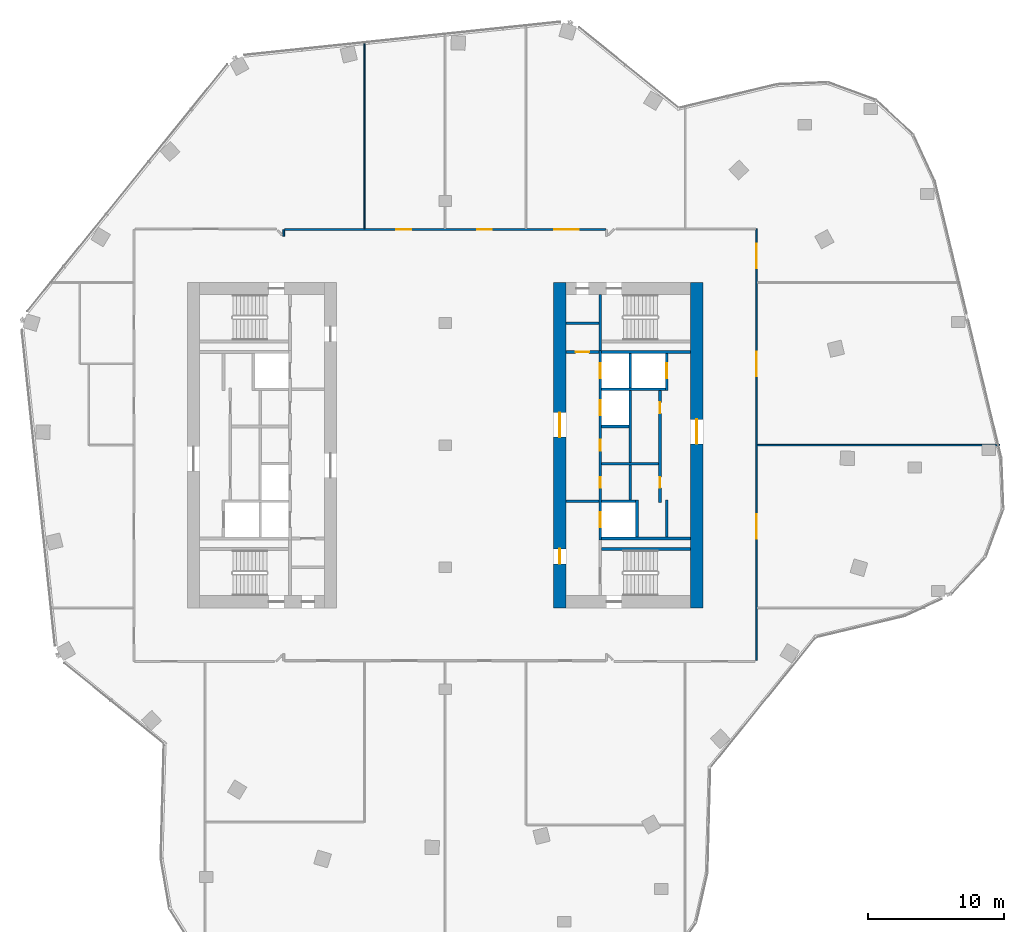
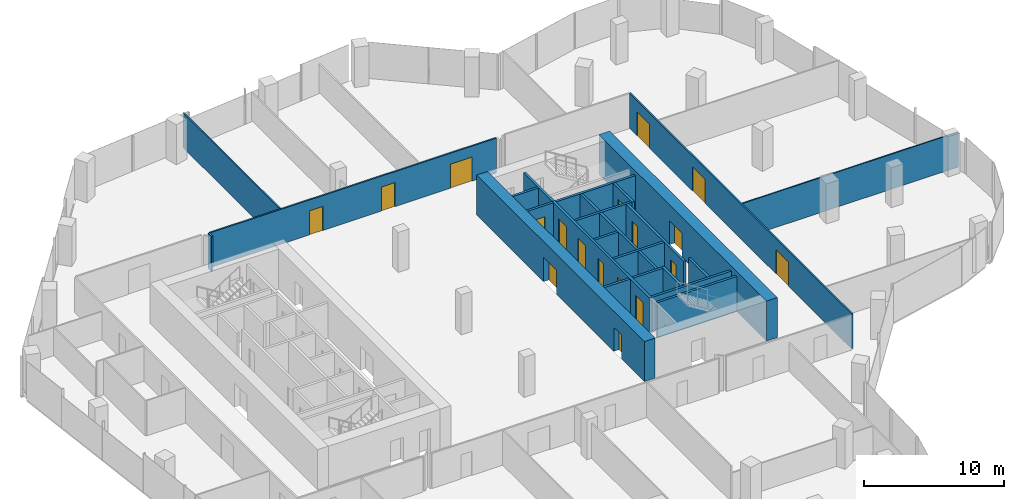
# One storey, part 20 of 23: 26 walls, 18 doors, 18 openings.
"""IFC4 building model written with IfcOpenShell, lengths in metres."""

from ifc_helpers import new_model, si_unit, direction, frame, frame_2d, origin, place, context, subcontext, project, spatial, rectangle, extrude, material, layer, layer_set, type_object, element, fill, save


model = new_model("IFC4")

# Units and contexts
model_context = context("Model", 3, precision=1e-05, world=origin(), true_north=direction((0.0, 1.0)))
body_context = subcontext(model_context, "Body", "Model", "MODEL_VIEW")
ifc_project = project(units=[si_unit("LENGTHUNIT", "METRE"), si_unit("AREAUNIT", "SQUARE_METRE"), si_unit("VOLUMEUNIT", "CUBIC_METRE"), si_unit("PLANEANGLEUNIT", "RADIAN"), si_unit("MASSUNIT", "GRAM", prefix="KILO")], contexts=[model_context])

# Site, building, storey
site_placement = place(None, origin())
site = spatial("IfcSite", under=ifc_project, at=site_placement, CompositionType="ELEMENT")
building_placement = place(site_placement, origin())
building = spatial("IfcBuilding", under=site, at=building_placement, Name="Orlundy Tower", CompositionType="ELEMENT")
storey_placement = place(building_placement, frame((0.0, 0.0, 224.5)))
storey = spatial("IfcBuildingStorey", under=building, at=storey_placement, Name="L59", CompositionType="ELEMENT", Elevation=224.5)

# Wall, openings, doors
ifc_material_1 = material(Name="Concrete C60/75", Category="concrete")
ifc_layer_1 = layer(ifc_material_1, 0.89990234375)
ifc_layer_set_1 = layer_set([ifc_layer_1], Name="CORE WALL 900 C60/75")
wall_type_1 = type_object("IfcWallType", Name="CORE WALL 900 C60/75", PredefinedType="SHEAR", material=ifc_layer_set_1)
wall_1_placement = place(storey_placement, frame((8.449951171875, -12.0, 0.0), z_axis=(0.0, 0.0, 1.0), x_axis=(0.0, 1.0, 0.0)))
wall_1 = element("IfcWall", 1, at=wall_1_placement, inside=storey, type_object=wall_type_1, Name="Core wall E-W L59", PredefinedType="SHEAR", context=body_context, shape_type="SweptSolid", body=[
    extrude(rectangle(XDim=24.0, YDim=0.89990234375, at=frame_2d((12.0, 0.0))), origin(), (0.0, 0.0, 1.0), 3.5),
])
opening_1_placement = place(wall_1_placement, frame((12.60009765625, 0.0, 0.0)))
opening_1 = element("IfcOpeningElement", 2, at=opening_1_placement, cuts=wall_1, Name="Opening 45058", PredefinedType="OPENING", context=body_context, shape_type="SweptSolid", body=[
    extrude(rectangle(XDim=1.800048828125, YDim=2.10009765625, at=frame_2d((0.89990234375, 1.050048828125))), frame((0.0, 0.4599609375, 0.0), z_axis=(0.0, -1.0, 0.0), x_axis=(1.0, 0.0, 0.0)), (0.0, 0.0, 1.0), 0.919921875),
])
opening_2_placement = place(wall_1_placement, frame((3.25, 0.0, 0.0)))
opening_2 = element("IfcOpeningElement", 3, at=opening_2_placement, cuts=wall_1, Name="Opening 45060", PredefinedType="OPENING", context=body_context, shape_type="SweptSolid", body=[
    extrude(rectangle(XDim=1.10009765625, YDim=2.10009765625, at=frame_2d((0.550048828125, 1.050048828125))), frame((0.0, 0.4599609375, 0.0), z_axis=(0.0, -1.0, 0.0), x_axis=(1.0, 0.0, 0.0)), (0.0, 0.0, 1.0), 0.919921875),
])
ifc_material_2 = material(Name="Steel door set", Category="steel")
door_type_1 = type_object("IfcDoorType", Name="Fire-fighting Lobby Door 1100x2100", OperationType="SINGLE_SWING_LEFT", PredefinedType="DOOR", material=ifc_material_2)
door_1_placement = place(opening_2_placement, origin())
door_1 = element("IfcDoor", 4, at=door_1_placement, inside=storey, type_object=door_type_1, Name="Fire-fighting lobby door 45060", OperationType="SINGLE_SWING_LEFT", OverallHeight=2.10009765625, OverallWidth=1.10009765625, PredefinedType="DOOR", context=body_context, shape_type="SweptSolid", body=[
    extrude(rectangle(XDim=1.10009765625, YDim=2.10009765625, at=frame_2d((0.550048828125, 1.050048828125))), frame((0.0, 0.02490234375, 0.0), z_axis=(0.0, -1.0, 0.0), x_axis=(1.0, 0.0, 0.0)), (0.0, 0.0, 1.0), 0.050048828125),
])
fill(opening_2, door_1)
ifc_material_3 = material(Name="Timber door set", Category="wood")
door_type_2 = type_object("IfcDoorType", Name="Lobby Door 1800x2100", OperationType="DOUBLE_DOOR_DOUBLE_SWING", PredefinedType="DOOR", material=ifc_material_3)
door_2_placement = place(opening_1_placement, origin())
door_2 = element("IfcDoor", 5, at=door_2_placement, inside=storey, type_object=door_type_2, Name="Lift lobby door 45058", OperationType="SINGLE_SWING_RIGHT", OverallHeight=2.10009765625, OverallWidth=1.800048828125, PredefinedType="DOOR", context=body_context, shape_type="SweptSolid", body=[
    extrude(rectangle(XDim=1.800048828125, YDim=2.10009765625, at=frame_2d((0.89990234375, 1.050048828125))), frame((0.0, 0.02490234375, 0.0), z_axis=(0.0, -1.0, 0.0), x_axis=(1.0, 0.0, 0.0)), (0.0, 0.0, 1.0), 0.050048828125),
])
fill(opening_1, door_2)

# Wall, opening, door
wall_2_placement = place(storey_placement, frame((18.550048828125, -12.0, 0.0), z_axis=(0.0, 0.0, 1.0), x_axis=(0.0, 1.0, 0.0)))
wall_2 = element("IfcWall", 6, at=wall_2_placement, inside=storey, type_object=wall_type_1, Name="Core wall E-E L59", PredefinedType="SHEAR", context=body_context, shape_type="SweptSolid", body=[
    extrude(rectangle(XDim=24.0, YDim=0.89990234375, at=frame_2d((12.0, 0.0))), origin(), (0.0, 0.0, 1.0), 3.5),
])
opening_3_placement = place(wall_2_placement, frame((12.10009765625, 0.0, 0.0)))
opening_3 = element("IfcOpeningElement", 7, at=opening_3_placement, cuts=wall_2, Name="Opening 45059", PredefinedType="OPENING", context=body_context, shape_type="SweptSolid", body=[
    extrude(rectangle(XDim=1.800048828125, YDim=2.10009765625, at=frame_2d((0.89990234375, 1.050048828125))), frame((0.0, 0.4599609375, 0.0), z_axis=(0.0, -1.0, 0.0), x_axis=(1.0, 0.0, 0.0)), (0.0, 0.0, 1.0), 0.919921875),
])
door_3_placement = place(opening_3_placement, origin())
door_3 = element("IfcDoor", 8, at=door_3_placement, inside=storey, type_object=door_type_2, Name="Lift lobby door 45059", OperationType="SINGLE_SWING_RIGHT", OverallHeight=2.10009765625, OverallWidth=1.800048828125, PredefinedType="DOOR", context=body_context, shape_type="SweptSolid", body=[
    extrude(rectangle(XDim=1.800048828125, YDim=2.10009765625, at=frame_2d((0.89990234375, 1.050048828125))), frame((0.0, 0.02490234375, 0.0), z_axis=(0.0, -1.0, 0.0), x_axis=(1.0, 0.0, 0.0)), (0.0, 0.0, 1.0), 0.050048828125),
])
fill(opening_3, door_3)

# Walls
ifc_material_4 = material(Name="Gypsum board partition")
ifc_layer_2 = layer(ifc_material_4, 0.10009765625)
ifc_layer_set_2 = layer_set([ifc_layer_2], Name="Floor partition 100")
wall_type_2 = type_object("IfcWallType", Name="Floor partition 100", PredefinedType="PARTITIONING", material=ifc_layer_set_2)
wall_3_placement = place(storey_placement, frame((23.013916015625, 0.0, 0.0), z_axis=(0.0, 0.0, 1.0), x_axis=(1.0, 0.0, 0.0)))
element("IfcWall", 9, at=wall_3_placement, inside=storey, type_object=wall_type_2, Name="wall-int-L59-011", PredefinedType="PARTITIONING", context=body_context, shape_type="SweptSolid", body=[
    extrude(rectangle(XDim=17.865966796875, YDim=0.10009765625, at=frame_2d((8.93310546875, 0.0))), origin(), (0.0, 0.0, 1.0), 3.06005859375),
])
wall_4_placement = place(storey_placement, frame((-5.948974609375, 15.962890625, 0.0), z_axis=(0.0, 0.0, 1.0), x_axis=(0.0, 1.0, 0.0)))
element("IfcWall", 10, at=wall_4_placement, inside=storey, type_object=wall_type_2, Name="wall-int-L59-030", PredefinedType="PARTITIONING", context=body_context, shape_type="SweptSolid", body=[
    extrude(rectangle(XDim=13.8291015625, YDim=0.10009765625, at=frame_2d((6.91455078125, 0.0))), origin(), (0.0, 0.0, 1.0), 3.06005859375),
])

# Wall, openings, doors
ifc_material_5 = material(Name="Gypsum board partition, double layer")
ifc_layer_3 = layer(ifc_material_5, 0.125)
ifc_layer_set_3 = layer_set([ifc_layer_3], Name="Floor partition 125")
wall_type_3 = type_object("IfcWallType", Name="Floor partition 125", PredefinedType="PARTITIONING", material=ifc_layer_set_3)
wall_5_placement = place(storey_placement, frame((-11.837890625, 15.90087890625, 0.0), z_axis=(0.0, 0.0, 1.0), x_axis=(1.0, 0.0, 0.0)))
wall_5 = element("IfcWall", 11, at=wall_5_placement, inside=storey, type_object=wall_type_3, Name="wall-int-L59-015", PredefinedType="PARTITIONING", context=body_context, shape_type="SweptSolid", body=[
    extrude(rectangle(XDim=23.67578125, YDim=0.125, at=frame_2d((11.837890625, 0.0))), origin(), (0.0, 0.0, 1.0), 3.06005859375),
])
opening_4_placement = place(wall_5_placement, frame((19.886474609375, 0.0, 0.0)))
opening_4 = element("IfcOpeningElement", 12, at=opening_4_placement, cuts=wall_5, Name="Opening 45111", PredefinedType="OPENING", context=body_context, shape_type="SweptSolid", body=[
    extrude(rectangle(XDim=1.800048828125, YDim=2.10009765625, at=frame_2d((0.89990234375, 1.050048828125))), frame((0.0, 0.072509765625, 0.0), z_axis=(0.0, -1.0, 0.0), x_axis=(1.0, 0.0, 0.0)), (0.0, 0.0, 1.0), 0.14501953125),
])
opening_5_placement = place(wall_5_placement, frame((14.1875, 0.0, 0.0)))
opening_5 = element("IfcOpeningElement", 13, at=opening_5_placement, cuts=wall_5, Name="Opening 45112", PredefinedType="OPENING", context=body_context, shape_type="SweptSolid", body=[
    extrude(rectangle(XDim=1.10009765625, YDim=2.10009765625, at=frame_2d((0.550048828125, 1.050048828125))), frame((0.0, 0.072509765625, 0.0), z_axis=(0.0, -1.0, 0.0), x_axis=(1.0, 0.0, 0.0)), (0.0, 0.0, 1.0), 0.14501953125),
])
opening_6_placement = place(wall_5_placement, frame((8.238525390625, 0.0, 0.0)))
opening_6 = element("IfcOpeningElement", 14, at=opening_6_placement, cuts=wall_5, Name="Opening 45113", PredefinedType="OPENING", context=body_context, shape_type="SweptSolid", body=[
    extrude(rectangle(XDim=1.10009765625, YDim=2.10009765625, at=frame_2d((0.550048828125, 1.050048828125))), frame((0.0, 0.072509765625, 0.0), z_axis=(0.0, -1.0, 0.0), x_axis=(1.0, 0.0, 0.0)), (0.0, 0.0, 1.0), 0.14501953125),
])
ifc_material_6 = material(Name="Timber door leaf", Category="wood")
door_type_3 = type_object("IfcDoorType", Name="Floor door double 1800 FD30S", OperationType="NOTDEFINED", PredefinedType="DOOR", material=ifc_material_6)
door_4_placement = place(opening_4_placement, origin())
door_4 = element("IfcDoor", 15, at=door_4_placement, inside=storey, type_object=door_type_3, Name="Door 45111", OperationType="DOUBLE_DOOR_SINGLE_SWING", OverallHeight=2.10009765625, OverallWidth=1.800048828125, PredefinedType="DOOR", context=body_context, shape_type="SweptSolid", body=[
    extrude(rectangle(XDim=1.800048828125, YDim=2.10009765625, at=frame_2d((0.89990234375, 1.050048828125))), frame((0.0, 0.02490234375, 0.0), z_axis=(0.0, -1.0, 0.0), x_axis=(1.0, 0.0, 0.0)), (0.0, 0.0, 1.0), 0.050048828125),
])
fill(opening_4, door_4)
ifc_material_7 = material(Name="Timber door leaf", Category="wood")
door_type_4 = type_object("IfcDoorType", Name="Floor door xwide 1100 FD30S", OperationType="NOTDEFINED", PredefinedType="DOOR", material=ifc_material_7)
door_5_placement = place(opening_5_placement, origin())
door_5 = element("IfcDoor", 16, at=door_5_placement, inside=storey, type_object=door_type_4, Name="Door 45112", OperationType="SINGLE_SWING_RIGHT", OverallHeight=2.10009765625, OverallWidth=1.10009765625, PredefinedType="DOOR", context=body_context, shape_type="SweptSolid", body=[
    extrude(rectangle(XDim=1.10009765625, YDim=2.10009765625, at=frame_2d((0.550048828125, 1.050048828125))), frame((0.0, 0.02490234375, 0.0), z_axis=(0.0, -1.0, 0.0), x_axis=(1.0, 0.0, 0.0)), (0.0, 0.0, 1.0), 0.050048828125),
])
fill(opening_5, door_5)
door_6_placement = place(opening_6_placement, origin())
door_6 = element("IfcDoor", 17, at=door_6_placement, inside=storey, type_object=door_type_4, Name="Door 45113", OperationType="SINGLE_SWING_LEFT", OverallHeight=2.10009765625, OverallWidth=1.10009765625, PredefinedType="DOOR", context=body_context, shape_type="SweptSolid", body=[
    extrude(rectangle(XDim=1.10009765625, YDim=2.10009765625, at=frame_2d((0.550048828125, 1.050048828125))), frame((0.0, 0.02490234375, 0.0), z_axis=(0.0, -1.0, 0.0), x_axis=(1.0, 0.0, 0.0)), (0.0, 0.0, 1.0), 0.050048828125),
])
fill(opening_6, door_6)

wall_6_placement = place(storey_placement, frame((22.950927734375, 15.949951171875, 0.0), z_axis=(0.0, 0.0, 1.0), x_axis=(0.0, -1.0, 0.0)))
wall_6 = element("IfcWall", 18, at=wall_6_placement, inside=storey, type_object=wall_type_3, Name="wall-int-L59-020", PredefinedType="PARTITIONING", context=body_context, shape_type="SweptSolid", body=[
    extrude(rectangle(XDim=31.827880859375, YDim=0.125, at=frame_2d((15.9140625, 0.0))), origin(), (0.0, 0.0, 1.0), 3.06005859375),
])
opening_7_placement = place(wall_6_placement, frame((21.050048828125, 0.0, 0.0)))
opening_7 = element("IfcOpeningElement", 19, at=opening_7_placement, cuts=wall_6, Name="Opening 45108", PredefinedType="OPENING", context=body_context, shape_type="SweptSolid", body=[
    extrude(rectangle(XDim=1.800048828125, YDim=2.10009765625, at=frame_2d((0.89990234375, 1.050048828125))), frame((0.0, 0.072509765625, 0.0), z_axis=(0.0, -1.0, 0.0), x_axis=(1.0, 0.0, 0.0)), (0.0, 0.0, 1.0), 0.14501953125),
])
opening_8_placement = place(wall_6_placement, frame((9.050048828125, 0.0, 0.0)))
opening_8 = element("IfcOpeningElement", 20, at=opening_8_placement, cuts=wall_6, Name="Opening 45109", PredefinedType="OPENING", context=body_context, shape_type="SweptSolid", body=[
    extrude(rectangle(XDim=1.800048828125, YDim=2.10009765625, at=frame_2d((0.89990234375, 1.050048828125))), frame((0.0, 0.072509765625, 0.0), z_axis=(0.0, -1.0, 0.0), x_axis=(1.0, 0.0, 0.0)), (0.0, 0.0, 1.0), 0.14501953125),
])
opening_9_placement = place(wall_6_placement, frame((1.10009765625, 0.0, 0.0)))
opening_9 = element("IfcOpeningElement", 21, at=opening_9_placement, cuts=wall_6, Name="Opening 45110", PredefinedType="OPENING", context=body_context, shape_type="SweptSolid", body=[
    extrude(rectangle(XDim=1.800048828125, YDim=2.10009765625, at=frame_2d((0.89990234375, 1.050048828125))), frame((0.0, 0.072509765625, 0.0), z_axis=(0.0, -1.0, 0.0), x_axis=(1.0, 0.0, 0.0)), (0.0, 0.0, 1.0), 0.14501953125),
])
door_7_placement = place(opening_7_placement, origin())
door_7 = element("IfcDoor", 22, at=door_7_placement, inside=storey, type_object=door_type_3, Name="Door 45108", OperationType="DOUBLE_DOOR_SINGLE_SWING", OverallHeight=2.10009765625, OverallWidth=1.800048828125, PredefinedType="DOOR", context=body_context, shape_type="SweptSolid", body=[
    extrude(rectangle(XDim=1.800048828125, YDim=2.10009765625, at=frame_2d((0.89990234375, 1.050048828125))), frame((0.0, 0.02490234375, 0.0), z_axis=(0.0, -1.0, 0.0), x_axis=(1.0, 0.0, 0.0)), (0.0, 0.0, 1.0), 0.050048828125),
])
fill(opening_7, door_7)
door_8_placement = place(opening_8_placement, origin())
door_8 = element("IfcDoor", 23, at=door_8_placement, inside=storey, type_object=door_type_3, Name="Door 45109", OperationType="DOUBLE_DOOR_SINGLE_SWING", OverallHeight=2.10009765625, OverallWidth=1.800048828125, PredefinedType="DOOR", context=body_context, shape_type="SweptSolid", body=[
    extrude(rectangle(XDim=1.800048828125, YDim=2.10009765625, at=frame_2d((0.89990234375, 1.050048828125))), frame((0.0, 0.02490234375, 0.0), z_axis=(0.0, -1.0, 0.0), x_axis=(1.0, 0.0, 0.0)), (0.0, 0.0, 1.0), 0.050048828125),
])
fill(opening_8, door_8)
door_9_placement = place(opening_9_placement, origin())
door_9 = element("IfcDoor", 24, at=door_9_placement, inside=storey, type_object=door_type_3, Name="Door 45110", OperationType="DOUBLE_DOOR_SINGLE_SWING", OverallHeight=2.10009765625, OverallWidth=1.800048828125, PredefinedType="DOOR", context=body_context, shape_type="SweptSolid", body=[
    extrude(rectangle(XDim=1.800048828125, YDim=2.10009765625, at=frame_2d((0.89990234375, 1.050048828125))), frame((0.0, 0.02490234375, 0.0), z_axis=(0.0, -1.0, 0.0), x_axis=(1.0, 0.0, 0.0)), (0.0, 0.0, 1.0), 0.050048828125),
])
fill(opening_9, door_9)

# Walls
wall_7_placement = place(storey_placement, frame((-11.90087890625, 15.39208984375, 0.0), z_axis=(0.0, 0.0, 1.0), x_axis=(0.0, 1.0, 0.0)))
element("IfcWall", 25, at=wall_7_placement, inside=storey, type_object=wall_type_3, Name="wall-int-L59-032", PredefinedType="PARTITIONING", context=body_context, shape_type="SweptSolid", body=[
    extrude(rectangle(XDim=0.5078125, YDim=0.125, at=frame_2d((0.25390625, 0.0))), origin(), (0.0, 0.0, 1.0), 3.06005859375),
])
ifc_material_8 = material(Name="Concrete C40/50", Category="concrete")
ifc_layer_4 = layer(ifc_material_8, 0.199951171875)
ifc_layer_set_4 = layer_set([ifc_layer_4], Name="Load-bearing Shaft Wall 200")
wall_type_4 = type_object("IfcWallType", Name="Load-bearing Shaft Wall 200", PredefinedType="SOLIDWALL", material=ifc_layer_set_4)
wall_8_placement = place(storey_placement, frame((11.5400390625, -7.64990234375, 0.0), z_axis=(0.0, 0.0, 1.0), x_axis=(1.0, 0.0, 0.0)))
element("IfcWall", 26, at=wall_8_placement, inside=storey, type_object=wall_type_4, Name="Shaft wall E45-stair-side-n", PredefinedType="SOLIDWALL", context=body_context, shape_type="SweptSolid", body=[
    extrude(rectangle(XDim=6.56005859375, YDim=0.199951171875, at=frame_2d((3.280029296875, 0.0))), origin(), (0.0, 0.0, 1.0), 3.080078125),
])
wall_9_placement = place(storey_placement, frame((11.43994140625, 11.10009765625, 0.0), z_axis=(0.0, 0.0, 1.0), x_axis=(0.0, -1.0, 0.0)))
element("IfcWall", 27, at=wall_9_placement, inside=storey, type_object=wall_type_4, Name="Shaft wall E45-stair-end-s", PredefinedType="SOLIDWALL", context=body_context, shape_type="SweptSolid", body=[
    extrude(rectangle(XDim=4.125, YDim=0.199951171875, at=frame_2d((2.0625, 0.0))), origin(), (0.0, 0.0, 1.0), 3.080078125),
])
ifc_material_9 = material(Name="Gypsum board partition on steel studs", Category="steel")
ifc_layer_5 = layer(ifc_material_9, 0.199951171875)
ifc_layer_set_5 = layer_set([ifc_layer_5], Name="Partition 200")
wall_type_5 = type_object("IfcWallType", Name="Partition 200", PredefinedType="PARTITIONING", material=ifc_layer_set_5)
wall_10_placement = place(storey_placement, frame((8.89990234375, -4.125, 0.0), z_axis=(0.0, 0.0, 1.0), x_axis=(1.0, 0.0, 0.0)))
element("IfcWall", 28, at=wall_10_placement, inside=storey, type_object=wall_type_5, Name="Partition wall E45-lobby-n", PredefinedType="PARTITIONING", context=body_context, shape_type="SweptSolid", body=[
    extrude(rectangle(XDim=2.440185546875, YDim=0.199951171875, at=frame_2d((1.22021484375, 0.0))), origin(), (0.0, 0.0, 1.0), 3.080078125),
])

# Wall, opening, door
wall_11_placement = place(storey_placement, frame((8.89990234375, 6.875, 0.0), z_axis=(0.0, 0.0, 1.0), x_axis=(1.0, 0.0, 0.0)))
wall_11 = element("IfcWall", 29, at=wall_11_placement, inside=storey, type_object=wall_type_5, Name="Partition wall E45-end-s", PredefinedType="PARTITIONING", context=body_context, shape_type="SweptSolid", body=[
    extrude(rectangle(XDim=2.440185546875, YDim=0.199951171875, at=frame_2d((1.22021484375, 0.0))), origin(), (0.0, 0.0, 1.0), 3.080078125),
])
opening_10_placement = place(wall_11_placement, frame((0.719970703125, 0.0, 0.0)))
opening_10 = element("IfcOpeningElement", 30, at=opening_10_placement, cuts=wall_11, Name="Opening 45065", PredefinedType="OPENING", context=body_context, shape_type="SweptSolid", body=[
    extrude(rectangle(XDim=1.0, YDim=2.10009765625, at=frame_2d((0.5, 1.050048828125))), frame((0.0, 0.110107421875, 0.0), z_axis=(0.0, -1.0, 0.0), x_axis=(1.0, 0.0, 0.0)), (0.0, 0.0, 1.0), 0.22021484375),
])
ifc_material_10 = material(Name="Timber door set", Category="wood")
door_type_5 = type_object("IfcDoorType", Name="Accessible Door 1000x2100", OperationType="SINGLE_SWING_LEFT", PredefinedType="DOOR", material=ifc_material_10)
door_10_placement = place(opening_10_placement, origin())
door_10 = element("IfcDoor", 31, at=door_10_placement, inside=storey, type_object=door_type_5, Name="Accessible WC door 45065", OperationType="SINGLE_SWING_RIGHT", OverallHeight=2.10009765625, OverallWidth=1.0, PredefinedType="DOOR", context=body_context, shape_type="SweptSolid", body=[
    extrude(rectangle(XDim=1.0, YDim=2.10009765625, at=frame_2d((0.5, 1.050048828125))), frame((0.0, 0.02490234375, 0.0), z_axis=(0.0, -1.0, 0.0), x_axis=(1.0, 0.0, 0.0)), (0.0, 0.0, 1.0), 0.050048828125),
])
fill(opening_10, door_10)

# Walls
wall_12_placement = place(storey_placement, frame((8.89990234375, 9.0, 0.0), z_axis=(0.0, 0.0, 1.0), x_axis=(1.0, 0.0, 0.0)))
element("IfcWall", 32, at=wall_12_placement, inside=storey, type_object=wall_type_5, Name="Partition wall E45-room-s0", PredefinedType="PARTITIONING", context=body_context, shape_type="SweptSolid", body=[
    extrude(rectangle(XDim=2.440185546875, YDim=0.199951171875, at=frame_2d((1.22021484375, 0.0))), origin(), (0.0, 0.0, 1.0), 3.080078125),
])
ifc_material_11 = material(Name="Fire-rated blockwork shaft wall", Category="masonry")
ifc_layer_6 = layer(ifc_material_11, 0.199951171875)
ifc_layer_set_6 = layer_set([ifc_layer_6], Name="Shaft Wall 200")
wall_type_6 = type_object("IfcWallType", Name="Shaft Wall 200", PredefinedType="SOLIDWALL", material=ifc_layer_set_6)
for number, where, z_axis, x_axis, name in (
    (33, (11.5400390625, -6.875, 0.0), (0.0, 0.0, 1.0), (1.0, 0.0, 0.0), "Shaft wall E45-zone-n"),
    (34, (11.5400390625, 6.875, 0.0), (0.0, 0.0, 1.0), (1.0, 0.0, 0.0), "Shaft wall E45-zone-s"),
):
    element("IfcWall", number, at=place(storey_placement, frame(where, z_axis=z_axis, x_axis=x_axis)), inside=storey, type_object=wall_type_6, Name=name, PredefinedType="SOLIDWALL", context=body_context, shape_type="SweptSolid", body=[
        extrude(rectangle(XDim=6.56005859375, YDim=0.199951171875, at=frame_2d((3.280029296875, 0.0))), origin(), (0.0, 0.0, 1.0), 3.080078125),
    ])
wall_13_placement = place(storey_placement, frame((11.5400390625, 4.125, 0.0), z_axis=(0.0, 0.0, 1.0), x_axis=(1.0, 0.0, 0.0)))
element("IfcWall", 35, at=wall_13_placement, inside=storey, type_object=wall_type_6, Name="Shaft wall E45-cross-4.125", PredefinedType="SOLIDWALL", context=body_context, shape_type="SweptSolid", body=[
    extrude(rectangle(XDim=4.699951171875, YDim=0.199951171875, at=frame_2d((2.35009765625, 0.0))), origin(), (0.0, 0.0, 1.0), 3.080078125),
])
wall_14_placement = place(storey_placement, frame((11.5400390625, 1.375, 0.0), z_axis=(0.0, 0.0, 1.0), x_axis=(1.0, 0.0, 0.0)))
element("IfcWall", 36, at=wall_14_placement, inside=storey, type_object=wall_type_6, Name="Shaft wall E45-cross-1.375", PredefinedType="SOLIDWALL", context=body_context, shape_type="SweptSolid", body=[
    extrude(rectangle(XDim=2.0, YDim=0.199951171875, at=frame_2d((1.0, 0.0))), origin(), (0.0, 0.0, 1.0), 3.080078125),
])
wall_15_placement = place(storey_placement, frame((11.5400390625, -1.375, 0.0), z_axis=(0.0, 0.0, 1.0), x_axis=(1.0, 0.0, 0.0)))
element("IfcWall", 37, at=wall_15_placement, inside=storey, type_object=wall_type_6, Name="Shaft wall E45-cross+1.375", PredefinedType="SOLIDWALL", context=body_context, shape_type="SweptSolid", body=[
    extrude(rectangle(XDim=4.199951171875, YDim=0.199951171875, at=frame_2d((2.10009765625, 0.0))), origin(), (0.0, 0.0, 1.0), 3.080078125),
])
wall_16_placement = place(storey_placement, frame((11.5400390625, -4.125, 0.0), z_axis=(0.0, 0.0, 1.0), x_axis=(1.0, 0.0, 0.0)))
element("IfcWall", 38, at=wall_16_placement, inside=storey, type_object=wall_type_6, Name="Shaft wall E45-cross+4.125", PredefinedType="SOLIDWALL", context=body_context, shape_type="SweptSolid", body=[
    extrude(rectangle(XDim=2.5, YDim=0.199951171875, at=frame_2d((1.25, 0.0))), origin(), (0.0, 0.0, 1.0), 3.080078125),
])

# Wall, openings, doors
wall_17_placement = place(storey_placement, frame((11.43994140625, 6.97509765625, 0.0), z_axis=(0.0, 0.0, 1.0), x_axis=(0.0, -1.0, 0.0)))
wall_17 = element("IfcWall", 39, at=wall_17_placement, inside=storey, type_object=wall_type_6, Name="Shaft wall E45-front-h", PredefinedType="SOLIDWALL", context=body_context, shape_type="SweptSolid", body=[
    extrude(rectangle(XDim=13.9501953125, YDim=0.199951171875, at=frame_2d((6.97509765625, 0.0))), origin(), (0.0, 0.0, 1.0), 3.080078125),
])
opening_11_placement = place(wall_17_placement, frame((0.925048828125, 0.0, 0.0)))
opening_11 = element("IfcOpeningElement", 40, at=opening_11_placement, cuts=wall_17, Name="Opening 45050", PredefinedType="OPENING", context=body_context, shape_type="SweptSolid", body=[
    extrude(rectangle(XDim=1.10009765625, YDim=2.10009765625, at=frame_2d((0.550048828125, 1.050048828125))), frame((0.0, 0.110107421875, 0.0), z_axis=(0.0, -1.0, 0.0), x_axis=(1.0, 0.0, 0.0)), (0.0, 0.0, 1.0), 0.22021484375),
])
opening_12_placement = place(wall_17_placement, frame((3.675048828125, 0.0, 0.0)))
opening_12 = element("IfcOpeningElement", 41, at=opening_12_placement, cuts=wall_17, Name="Opening 45052", PredefinedType="OPENING", context=body_context, shape_type="SweptSolid", body=[
    extrude(rectangle(XDim=1.10009765625, YDim=2.10009765625, at=frame_2d((0.550048828125, 1.050048828125))), frame((0.0, 0.110107421875, 0.0), z_axis=(0.0, -1.0, 0.0), x_axis=(1.0, 0.0, 0.0)), (0.0, 0.0, 1.0), 0.22021484375),
])
opening_13_placement = place(wall_17_placement, frame((11.925048828125, 0.0, 0.0)))
opening_13 = element("IfcOpeningElement", 42, at=opening_13_placement, cuts=wall_17, Name="Opening 45053", PredefinedType="OPENING", context=body_context, shape_type="SweptSolid", body=[
    extrude(rectangle(XDim=1.10009765625, YDim=2.10009765625, at=frame_2d((0.550048828125, 1.050048828125))), frame((0.0, 0.110107421875, 0.0), z_axis=(0.0, -1.0, 0.0), x_axis=(1.0, 0.0, 0.0)), (0.0, 0.0, 1.0), 0.22021484375),
])
opening_14_placement = place(wall_17_placement, frame((6.574951171875, 0.0, 0.0)))
opening_14 = element("IfcOpeningElement", 43, at=opening_14_placement, cuts=wall_17, Name="Opening 45055", PredefinedType="OPENING", context=body_context, shape_type="SweptSolid", body=[
    extrude(rectangle(XDim=0.800048828125, YDim=2.10009765625, at=frame_2d((0.39990234375, 1.050048828125))), frame((0.0, 0.110107421875, 0.0), z_axis=(0.0, -1.0, 0.0), x_axis=(1.0, 0.0, 0.0)), (0.0, 0.0, 1.0), 0.22021484375),
])
opening_15_placement = place(wall_17_placement, frame((9.324951171875, 0.0, 0.0)))
opening_15 = element("IfcOpeningElement", 44, at=opening_15_placement, cuts=wall_17, Name="Opening 45056", PredefinedType="OPENING", context=body_context, shape_type="SweptSolid", body=[
    extrude(rectangle(XDim=0.800048828125, YDim=2.10009765625, at=frame_2d((0.39990234375, 1.050048828125))), frame((0.0, 0.110107421875, 0.0), z_axis=(0.0, -1.0, 0.0), x_axis=(1.0, 0.0, 0.0)), (0.0, 0.0, 1.0), 0.22021484375),
])
ifc_material_12 = material(Name="Steel door set", Category="steel")
door_type_6 = type_object("IfcDoorType", Name="Landing Door 1100x2100", OperationType="DOUBLE_DOOR_SLIDING", PredefinedType="DOOR", material=ifc_material_12)
door_11_placement = place(opening_11_placement, origin())
door_11 = element("IfcDoor", 45, at=door_11_placement, inside=storey, type_object=door_type_6, Name="Lift landing door LP-24 45050", OperationType="DOUBLE_DOOR_SLIDING", OverallHeight=2.10009765625, OverallWidth=1.10009765625, PredefinedType="DOOR", context=body_context, shape_type="SweptSolid", body=[
    extrude(rectangle(XDim=1.10009765625, YDim=2.10009765625, at=frame_2d((0.550048828125, 1.050048828125))), frame((0.0, 0.02490234375, 0.0), z_axis=(0.0, -1.0, 0.0), x_axis=(1.0, 0.0, 0.0)), (0.0, 0.0, 1.0), 0.050048828125),
])
fill(opening_11, door_11)
door_12_placement = place(opening_12_placement, origin())
door_12 = element("IfcDoor", 46, at=door_12_placement, inside=storey, type_object=door_type_6, Name="Lift landing door LP-23 45052", OperationType="DOUBLE_DOOR_SLIDING", OverallHeight=2.10009765625, OverallWidth=1.10009765625, PredefinedType="DOOR", context=body_context, shape_type="SweptSolid", body=[
    extrude(rectangle(XDim=1.10009765625, YDim=2.10009765625, at=frame_2d((0.550048828125, 1.050048828125))), frame((0.0, 0.02490234375, 0.0), z_axis=(0.0, -1.0, 0.0), x_axis=(1.0, 0.0, 0.0)), (0.0, 0.0, 1.0), 0.050048828125),
])
fill(opening_12, door_12)
door_13_placement = place(opening_13_placement, origin())
door_13 = element("IfcDoor", 47, at=door_13_placement, inside=storey, type_object=door_type_6, Name="Lift landing door FL2 45053", OperationType="DOUBLE_DOOR_SLIDING", OverallHeight=2.10009765625, OverallWidth=1.10009765625, PredefinedType="DOOR", context=body_context, shape_type="SweptSolid", body=[
    extrude(rectangle(XDim=1.10009765625, YDim=2.10009765625, at=frame_2d((0.550048828125, 1.050048828125))), frame((0.0, 0.02490234375, 0.0), z_axis=(0.0, -1.0, 0.0), x_axis=(1.0, 0.0, 0.0)), (0.0, 0.0, 1.0), 0.050048828125),
])
fill(opening_13, door_13)
ifc_material_13 = material(Name="Timber door set", Category="wood")
door_type_7 = type_object("IfcDoorType", Name="Riser Door 800x2100", OperationType="SINGLE_SWING_LEFT", PredefinedType="DOOR", material=ifc_material_13)
door_14_placement = place(opening_14_placement, origin())
door_14 = element("IfcDoor", 48, at=door_14_placement, inside=storey, type_object=door_type_7, Name="Security Store door 45055", OperationType="SINGLE_SWING_LEFT", OverallHeight=2.10009765625, OverallWidth=0.800048828125, PredefinedType="DOOR", context=body_context, shape_type="SweptSolid", body=[
    extrude(rectangle(XDim=0.800048828125, YDim=2.10009765625, at=frame_2d((0.39990234375, 1.050048828125))), frame((0.0, 0.02490234375, 0.0), z_axis=(0.0, -1.0, 0.0), x_axis=(1.0, 0.0, 0.0)), (0.0, 0.0, 1.0), 0.050048828125),
])
fill(opening_14, door_14)
door_15_placement = place(opening_15_placement, origin())
door_15 = element("IfcDoor", 49, at=door_15_placement, inside=storey, type_object=door_type_7, Name="Furniture Store door 45056", OperationType="SINGLE_SWING_LEFT", OverallHeight=2.10009765625, OverallWidth=0.800048828125, PredefinedType="DOOR", context=body_context, shape_type="SweptSolid", body=[
    extrude(rectangle(XDim=0.800048828125, YDim=2.10009765625, at=frame_2d((0.39990234375, 1.050048828125))), frame((0.0, 0.02490234375, 0.0), z_axis=(0.0, -1.0, 0.0), x_axis=(1.0, 0.0, 0.0)), (0.0, 0.0, 1.0), 0.050048828125),
])
fill(opening_15, door_15)

# Walls
wall_18_placement = place(storey_placement, frame((13.639892578125, 6.77490234375, 0.0), z_axis=(0.0, 0.0, 1.0), x_axis=(0.0, -1.0, 0.0)))
element("IfcWall", 50, at=wall_18_placement, inside=storey, type_object=wall_type_6, Name="Shaft wall E45-mid-a", PredefinedType="SOLIDWALL", context=body_context, shape_type="SweptSolid", body=[
    extrude(rectangle(XDim=2.5498046875, YDim=0.199951171875, at=frame_2d((1.27490234375, 0.0))), origin(), (0.0, 0.0, 1.0), 3.080078125),
])
wall_19_placement = place(storey_placement, frame((13.639892578125, 4.02490234375, 0.0), z_axis=(0.0, 0.0, 1.0), x_axis=(0.0, -1.0, 0.0)))
element("IfcWall", 51, at=wall_19_placement, inside=storey, type_object=wall_type_6, Name="Shaft wall E45-mid-a.1", PredefinedType="SOLIDWALL", context=body_context, shape_type="SweptSolid", body=[
    extrude(rectangle(XDim=5.2998046875, YDim=0.199951171875, at=frame_2d((2.64990234375, 0.0))), origin(), (0.0, 0.0, 1.0), 3.080078125),
])
wall_20_placement = place(storey_placement, frame((13.639892578125, -1.47509765625, 0.0), z_axis=(0.0, 0.0, 1.0), x_axis=(0.0, -1.0, 0.0)))
element("IfcWall", 52, at=wall_20_placement, inside=storey, type_object=wall_type_6, Name="Shaft wall E45-mid-a.2", PredefinedType="SOLIDWALL", context=body_context, shape_type="SweptSolid", body=[
    extrude(rectangle(XDim=2.5498046875, YDim=0.199951171875, at=frame_2d((1.27490234375, 0.0))), origin(), (0.0, 0.0, 1.0), 3.080078125),
])
wall_21_placement = place(storey_placement, frame((14.139892578125, -4.02490234375, 0.0), z_axis=(0.0, 0.0, 1.0), x_axis=(0.0, -1.0, 0.0)))
element("IfcWall", 53, at=wall_21_placement, inside=storey, type_object=wall_type_6, Name="Shaft wall E45-mid-b", PredefinedType="SOLIDWALL", context=body_context, shape_type="SweptSolid", body=[
    extrude(rectangle(XDim=2.75, YDim=0.199951171875, at=frame_2d((1.375, 0.0))), origin(), (0.0, 0.0, 1.0), 3.080078125),
])

# Wall, opening, door
wall_22_placement = place(storey_placement, frame((16.340087890625, 6.77490234375, 0.0), z_axis=(0.0, 0.0, 1.0), x_axis=(0.0, -1.0, 0.0)))
wall_22 = element("IfcWall", 54, at=wall_22_placement, inside=storey, type_object=wall_type_6, Name="Shaft wall E45-front-o-a", PredefinedType="SOLIDWALL", context=body_context, shape_type="SweptSolid", body=[
    extrude(rectangle(XDim=2.75, YDim=0.199951171875, at=frame_2d((1.375, 0.0))), origin(), (0.0, 0.0, 1.0), 3.080078125),
])
opening_16_placement = place(wall_22_placement, frame((0.72509765625, 0.0, 0.0)))
opening_16 = element("IfcOpeningElement", 55, at=opening_16_placement, cuts=wall_22, Name="Opening 45051", PredefinedType="OPENING", context=body_context, shape_type="SweptSolid", body=[
    extrude(rectangle(XDim=1.10009765625, YDim=2.10009765625, at=frame_2d((0.550048828125, 1.050048828125))), frame((0.0, 0.110107421875, 0.0), z_axis=(0.0, -1.0, 0.0), x_axis=(1.0, 0.0, 0.0)), (0.0, 0.0, 1.0), 0.22021484375),
])
door_16_placement = place(opening_16_placement, origin())
door_16 = element("IfcDoor", 56, at=door_16_placement, inside=storey, type_object=door_type_6, Name="Lift landing door LV-02 45051", OperationType="DOUBLE_DOOR_SLIDING", OverallHeight=2.10009765625, OverallWidth=1.10009765625, PredefinedType="DOOR", context=body_context, shape_type="SweptSolid", body=[
    extrude(rectangle(XDim=1.10009765625, YDim=2.10009765625, at=frame_2d((0.550048828125, 1.050048828125))), frame((0.0, 0.02490234375, 0.0), z_axis=(0.0, -1.0, 0.0), x_axis=(1.0, 0.0, 0.0)), (0.0, 0.0, 1.0), 0.050048828125),
])
fill(opening_16, door_16)

# Wall, openings, doors
wall_23_placement = place(storey_placement, frame((15.840087890625, 4.02490234375, 0.0), z_axis=(0.0, 0.0, 1.0), x_axis=(0.0, -1.0, 0.0)))
wall_23 = element("IfcWall", 57, at=wall_23_placement, inside=storey, type_object=wall_type_6, Name="Shaft wall E45-front-o-b", PredefinedType="SOLIDWALL", context=body_context, shape_type="SweptSolid", body=[
    extrude(rectangle(XDim=8.25, YDim=0.199951171875, at=frame_2d((4.125, 0.0))), origin(), (0.0, 0.0, 1.0), 3.080078125),
])
opening_17_placement = place(wall_23_placement, frame((0.875, 0.0, 0.0)))
opening_17 = element("IfcOpeningElement", 58, at=opening_17_placement, cuts=wall_23, Name="Opening 45054", PredefinedType="OPENING", context=body_context, shape_type="SweptSolid", body=[
    extrude(rectangle(XDim=0.800048828125, YDim=2.10009765625, at=frame_2d((0.39990234375, 1.050048828125))), frame((0.0, 0.110107421875, 0.0), z_axis=(0.0, -1.0, 0.0), x_axis=(1.0, 0.0, 0.0)), (0.0, 0.0, 1.0), 0.22021484375),
])
opening_18_placement = place(wall_23_placement, frame((6.375, 0.0, 0.0)))
opening_18 = element("IfcOpeningElement", 59, at=opening_18_placement, cuts=wall_23, Name="Opening 45057", PredefinedType="OPENING", context=body_context, shape_type="SweptSolid", body=[
    extrude(rectangle(XDim=0.800048828125, YDim=2.10009765625, at=frame_2d((0.39990234375, 1.050048828125))), frame((0.0, 0.110107421875, 0.0), z_axis=(0.0, -1.0, 0.0), x_axis=(1.0, 0.0, 0.0)), (0.0, 0.0, 1.0), 0.22021484375),
])
door_17_placement = place(opening_17_placement, origin())
door_17 = element("IfcDoor", 60, at=door_17_placement, inside=storey, type_object=door_type_7, Name="HVAC Riser door 45054", OperationType="SINGLE_SWING_LEFT", OverallHeight=2.10009765625, OverallWidth=0.800048828125, PredefinedType="DOOR", context=body_context, shape_type="SweptSolid", body=[
    extrude(rectangle(XDim=0.800048828125, YDim=2.10009765625, at=frame_2d((0.39990234375, 1.050048828125))), frame((0.0, 0.02490234375, 0.0), z_axis=(0.0, -1.0, 0.0), x_axis=(1.0, 0.0, 0.0)), (0.0, 0.0, 1.0), 0.050048828125),
])
fill(opening_17, door_17)
door_18_placement = place(opening_18_placement, origin())
door_18 = element("IfcDoor", 61, at=door_18_placement, inside=storey, type_object=door_type_7, Name="Cleaner's Store door 45057", OperationType="SINGLE_SWING_LEFT", OverallHeight=2.10009765625, OverallWidth=0.800048828125, PredefinedType="DOOR", context=body_context, shape_type="SweptSolid", body=[
    extrude(rectangle(XDim=0.800048828125, YDim=2.10009765625, at=frame_2d((0.39990234375, 1.050048828125))), frame((0.0, 0.02490234375, 0.0), z_axis=(0.0, -1.0, 0.0), x_axis=(1.0, 0.0, 0.0)), (0.0, 0.0, 1.0), 0.050048828125),
])
fill(opening_18, door_18)

# Wall
wall_24_placement = place(storey_placement, frame((16.340087890625, -4.02490234375, 0.0), z_axis=(0.0, 0.0, 1.0), x_axis=(0.0, -1.0, 0.0)))
element("IfcWall", 62, at=wall_24_placement, inside=storey, type_object=wall_type_6, Name="Shaft wall E45-front-o-c", PredefinedType="SOLIDWALL", context=body_context, shape_type="SweptSolid", body=[
    extrude(rectangle(XDim=2.75, YDim=0.199951171875, at=frame_2d((1.375, 0.0))), origin(), (0.0, 0.0, 1.0), 3.080078125),
])

save(model, "model.ifc")
